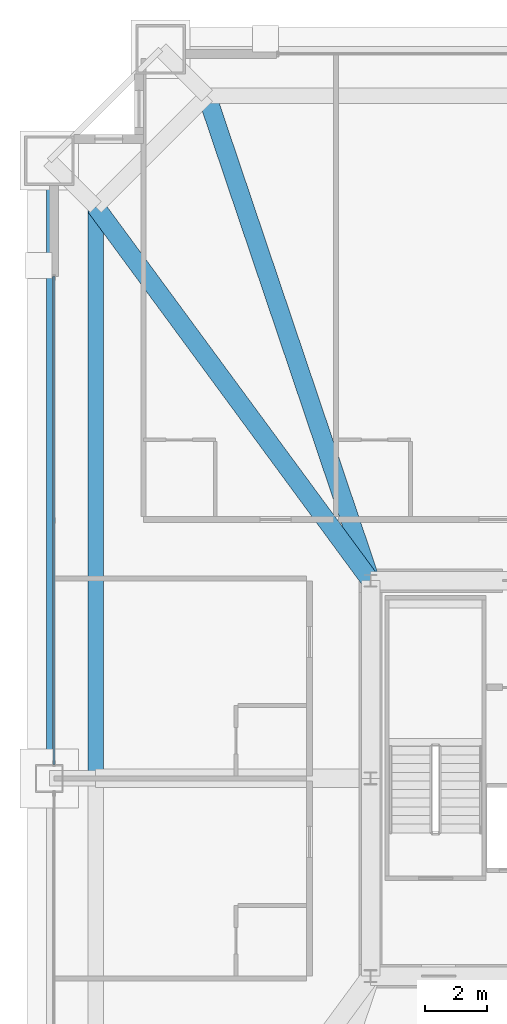
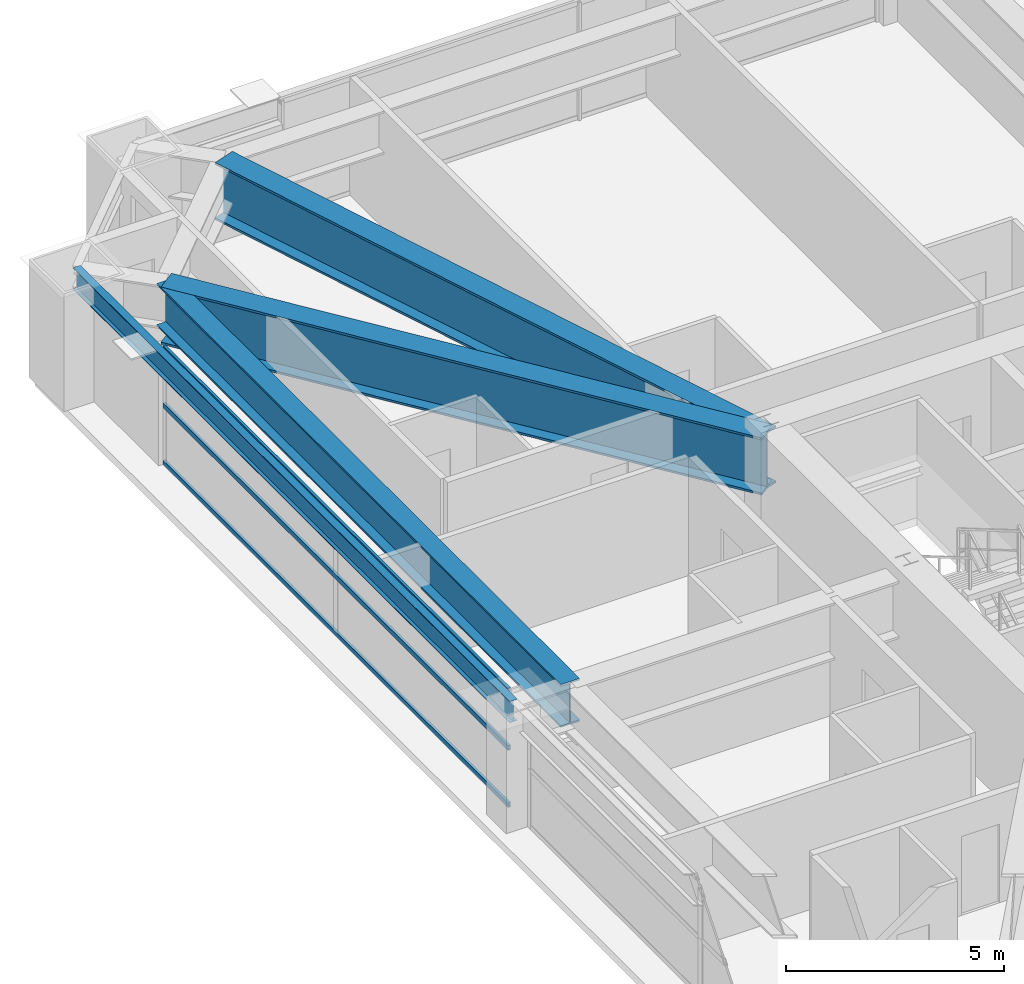
# One storey, part 26 of 45: 4 beams, 3 members, 1 element without a shape of its own.
"""IFC4 building model written with IfcOpenShell, lengths in metres."""

from ifc_helpers import new_model, si_unit, direction, frame, origin, origin_2d, place, context, subcontext, project, spatial, hollow_rectangle, i_section, extrude, source, transform, mapped, material, layer, layer_set, material_profile, profile_set, type_object, element, aggregate, save


model = new_model("IFC4")

# Units and contexts
model_context = context("Model", 3, precision=1e-05, world=origin(), true_north=direction((0.0, 1.0)))
body_context = subcontext(model_context, "Body", "Model", "MODEL_VIEW")
ifc_project = project(units=[si_unit("LENGTHUNIT", "METRE"), si_unit("AREAUNIT", "SQUARE_METRE"), si_unit("VOLUMEUNIT", "CUBIC_METRE"), si_unit("PLANEANGLEUNIT", "RADIAN"), si_unit("MASSUNIT", "GRAM", prefix="KILO"), si_unit("THERMODYNAMICTEMPERATUREUNIT", "KELVIN"), si_unit("POWERUNIT", "WATT")], contexts=[model_context])

# Site, building, storey
site_placement = place(None, origin())
site = spatial("IfcSite", under=ifc_project, at=site_placement, CompositionType="ELEMENT")
building_placement = place(site_placement, origin())
building = spatial("IfcBuilding", under=site, at=building_placement, Name="Yuzanri Waterfront Tower", CompositionType="ELEMENT")
storey_placement = place(building_placement, frame((0.0, 0.0, 163.199951171875)))
storey = spatial("IfcBuildingStorey", under=building, at=storey_placement, Name="L43", CompositionType="ELEMENT", Elevation=163.199951171875)

# Beams
ifc_material_1 = material(Name="Steel Q355B", Category="steel")
ifc_material_profile_1 = material_profile(ifc_material_1, i_section(OverallWidth=0.199951171875, OverallDepth=0.60009765625, WebThickness=0.010986328125, FlangeThickness=0.01708984375, at=origin_2d()), Name="HN 600x200x11x17")
ifc_profile_set_1 = profile_set([ifc_material_profile_1], Name="Steel Q355B")
beam_type_1 = type_object("IfcBeamType", Name="Perimeter Spandrel Q355B HN 600x200", PredefinedType="SPANDREL", material=ifc_profile_set_1)
shared_shape_1 = source(origin(), body_context, "Body", "SweptSolid", [
    extrude(i_section(OverallWidth=0.199951171875, OverallDepth=0.60009765625, WebThickness=0.010986328125, FlangeThickness=0.01708984375, at=origin_2d()), origin(), (0.0, 0.0, 1.0), 20.0),
])
beam_1_placement = place(storey_placement, frame((13.39990234375, 45.800048828125, 3.0), z_axis=(0.0, -1.0, 0.0), x_axis=(1.0, 0.0, 0.0)))
element("IfcBeam", 1, at=beam_1_placement, inside=storey, type_object=beam_type_1, Name="L43 Perimeter Spandrel W3-W2", PredefinedType="SPANDREL", context=body_context, shape_type="MappedRepresentation", body=[
    mapped(shared_shape_1, transform((0.0, 0.0, 0.0), scale=1.0)),
])
ifc_material_2 = material(Name="Steel Q420GJC", Category="steel")
ifc_material_profile_2 = material_profile(ifc_material_2, i_section(OverallWidth=0.60009765625, OverallDepth=1.60009765625, WebThickness=0.031982421875, FlangeThickness=0.06005859375, at=origin_2d()), Name="PG 1600x600x32x60")
ifc_profile_set_2 = profile_set([ifc_material_profile_2], Name="Steel Q420GJC")
beam_type_2 = type_object("IfcBeamType", Name="Ballroom Transfer Girder Q420GJC PG 1600x600", PredefinedType="USERDEFINED", material=ifc_profile_set_2)
shared_shape_2 = source(origin(), body_context, "Body", "SweptSolid", [
    extrude(i_section(OverallWidth=0.60009765625, OverallDepth=1.60009765625, WebThickness=0.031982421875, FlangeThickness=0.06005859375, at=origin_2d()), origin(), (0.0, 0.0, 1.0), 16.5703125),
])
beam_2_placement = place(storey_placement, frame((23.800048828125, 32.199951171875, 2.5), z_axis=(-0.319849903127, 0.9474682261, 0.0), x_axis=(-0.9474682261, -0.319849903127, 0.0)))
element("IfcBeam", 2, at=beam_2_placement, inside=storey, type_object=beam_type_2, Name="L43 Setback Inner Transfer N1", ObjectType="GIRDER", PredefinedType="USERDEFINED", context=body_context, shape_type="MappedRepresentation", body=[
    mapped(shared_shape_2, transform((0.0, 0.0, 0.0), scale=1.0)),
])
shared_shape_3 = source(origin(), body_context, "Body", "SweptSolid", [
    extrude(i_section(OverallWidth=0.60009765625, OverallDepth=1.60009765625, WebThickness=0.031982421875, FlangeThickness=0.06005859375, at=origin_2d()), origin(), (0.0, 0.0, 1.0), 15.020751953125),
])
beam_3_placement = place(storey_placement, frame((23.800048828125, 32.199951171875, 2.5), z_axis=(-0.592520762634, 0.805555178649, 0.0), x_axis=(-0.805555178649, -0.592520762634, 0.0)))
element("IfcBeam", 3, at=beam_3_placement, inside=storey, type_object=beam_type_2, Name="L43 Setback Inner Transfer W3", ObjectType="GIRDER", PredefinedType="USERDEFINED", context=body_context, shape_type="MappedRepresentation", body=[
    mapped(shared_shape_3, transform((0.0, 0.0, 0.0), scale=1.0)),
])
ifc_material_3 = material(Name="Steel Q420GJC", Category="steel")
ifc_material_profile_3 = material_profile(ifc_material_3, i_section(OverallWidth=0.5, OverallDepth=1.199951171875, WebThickness=0.028076171875, FlangeThickness=0.050048828125, at=origin_2d()), Name="PG 1200x500x28x50")
ifc_profile_set_3 = profile_set([ifc_material_profile_3], Name="Steel Q420GJC")
beam_type_3 = type_object("IfcBeamType", Name="Setback Transfer Girder Q420GJC PG 1200x500", PredefinedType="USERDEFINED", material=ifc_profile_set_3)
shared_shape_4 = source(origin(), body_context, "Body", "SweptSolid", [
    extrude(i_section(OverallWidth=0.5, OverallDepth=1.199951171875, WebThickness=0.028076171875, FlangeThickness=0.050048828125, at=origin_2d()), origin(), (0.0, 0.0, 1.0), 18.5),
])
beam_4_placement = place(storey_placement, frame((14.89990234375, 44.300048828125, 2.699951171875), z_axis=(0.0, -1.0, 0.0), x_axis=(1.0, 0.0, 0.0)))
element("IfcBeam", 4, at=beam_4_placement, inside=storey, type_object=beam_type_3, Name="L43 Setback Upper Ring W3-W2", ObjectType="GIRDER", PredefinedType="USERDEFINED", context=body_context, shape_type="MappedRepresentation", body=[
    mapped(shared_shape_4, transform((0.0, 0.0, 0.0), scale=1.0)),
])

# Curtain wall, members
ifc_material_4 = material(Name="Anodized Architectural Bronze", Category="metal")
ifc_layer = layer(ifc_material_4, 0.159912109375)
ifc_layer_set = layer_set([ifc_layer], Name="Anodized Architectural Bronze")
curtain_wall_type = type_object("IfcCurtainWallType", Name="Anodized Bronze Hotel Upper-Tier Solar-Control Unitized Curtain Wall 7800", PredefinedType="NOTDEFINED", material=ifc_layer_set)
curtain_wall_placement = place(storey_placement, origin())
curtain_wall = element("IfcCurtainWall", 5, at=curtain_wall_placement, inside=storey, type_object=curtain_wall_type, Name="L43 Curtain Wall CW-L43-WR", PredefinedType="NOTDEFINED")
ifc_material_5 = material(Name="Anodized Architectural Bronze", Category="metal")
ifc_material_profile_4 = material_profile(ifc_material_5, hollow_rectangle(XDim=0.070068359375, YDim=0.135009765625, WallThickness=0.00341796875, at=origin_2d()), Name="CWT 70x135")
ifc_profile_set_4 = profile_set([ifc_material_profile_4], Name="Anodized Architectural Bronze")
member_type = type_object("IfcMemberType", Name="Anodized Bronze Standard Curtain-Wall Transom 70x135", PredefinedType="USERDEFINED", material=ifc_profile_set_4)
shared_shape_5 = source(origin(), body_context, "Body", "SweptSolid", [
    extrude(hollow_rectangle(XDim=0.070068359375, YDim=0.135009765625, WallThickness=0.00341796875, at=origin_2d()), origin(), (0.0, 0.0, 1.0), 15.800048828125),
])
member_1_placement = place(storey_placement, frame((13.550048828125, 26.25, 0.050048828125), z_axis=(0.0, 1.0, 0.0), x_axis=(-1.0, 0.0, 0.0)))
member_1 = element("IfcMember", 6, at=member_1_placement, type_object=member_type, Name="CW-L43-WR Transom 1", ObjectType="TRANSOM", PredefinedType="USERDEFINED", context=body_context, shape_type="MappedRepresentation", body=[
    mapped(shared_shape_5, transform((0.0, 0.0, 0.0), scale=1.0)),
])
member_2_placement = place(storey_placement, frame((13.550048828125, 26.25, 1.650146484375), z_axis=(0.0, 1.0, 0.0), x_axis=(-1.0, 0.0, 0.0)))
member_2 = element("IfcMember", 7, at=member_2_placement, type_object=member_type, Name="CW-L43-WR Transom 2", ObjectType="TRANSOM", PredefinedType="USERDEFINED", context=body_context, shape_type="MappedRepresentation", body=[
    mapped(shared_shape_5, transform((0.0, 0.0, 0.0), scale=1.0)),
])
member_3_placement = place(storey_placement, frame((13.550048828125, 26.25, 3.25), z_axis=(0.0, 1.0, 0.0), x_axis=(-1.0, 0.0, 0.0)))
member_3 = element("IfcMember", 8, at=member_3_placement, type_object=member_type, Name="CW-L43-WR Transom 3", ObjectType="TRANSOM", PredefinedType="USERDEFINED", context=body_context, shape_type="MappedRepresentation", body=[
    mapped(shared_shape_5, transform((0.0, 0.0, 0.0), scale=1.0)),
])
aggregate(curtain_wall, [member_1, member_2, member_3])

save(model, "model.ifc")
